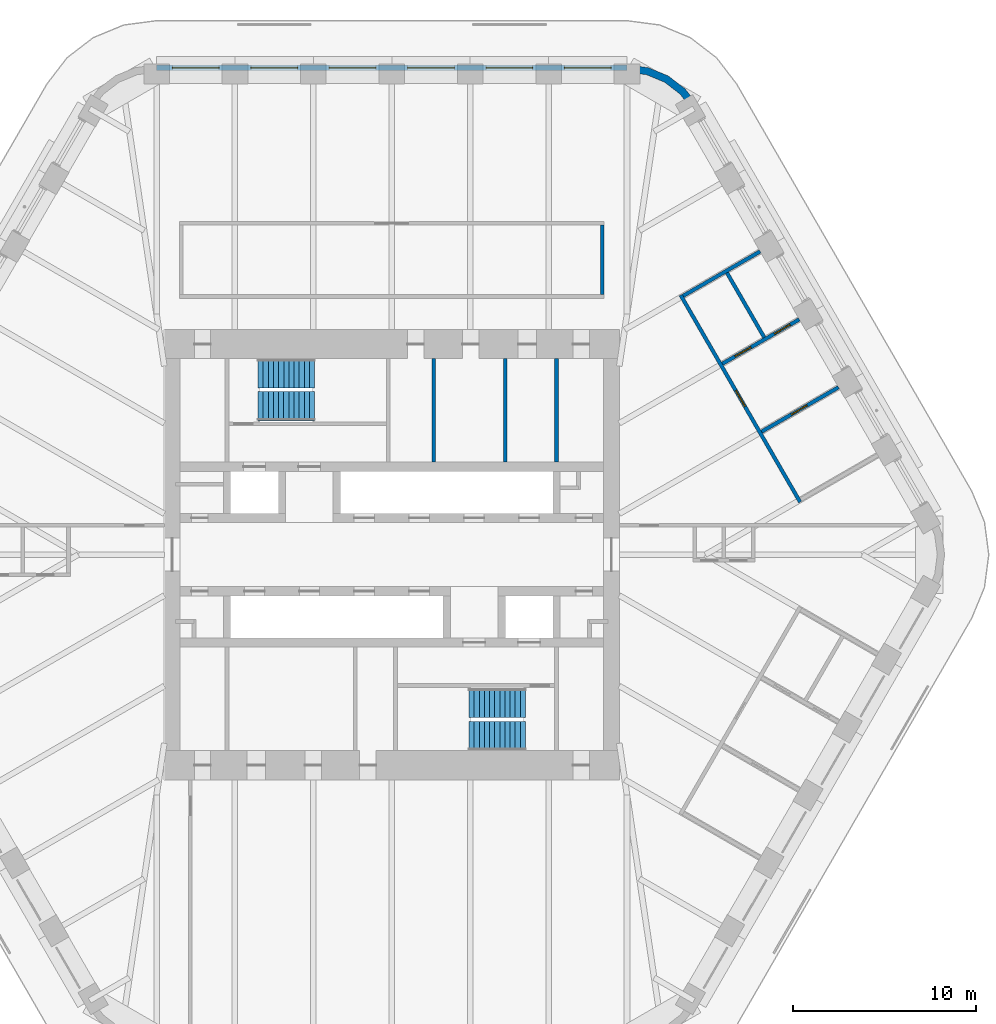
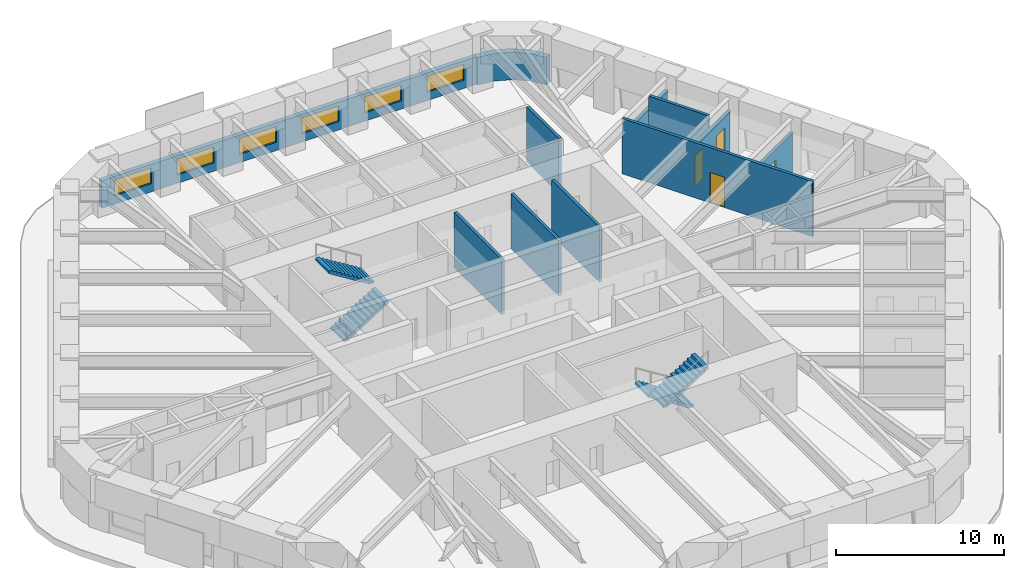
# One storey, part 16 of 18: 11 walls, 6 windows, 4 doors, 4 stair flights, 10 openings, 2 elements without a shape of their own.
"""IFC4 building model written with IfcOpenShell, lengths in metres."""

import ifcopenshell
import ifcopenshell.guid

model = None  # the IFC model being written
_history = None  # IfcOwnerHistory: only IFC2X3 demands one
_inside = {}  # id of a spatial element -> (the spatial element, [elements in it])
_under = {}  # id of a project, library or spatial element -> (it, [spatial elements below it])
_declared = {}  # id of a project -> (the project, [libraries it declares])
_typed = {}  # id of a type object -> (the type object, [elements of that type])
_made_of = {}  # id of a material, layer set ... -> (it, [elements and type objects made of it])


def new_model(schema):
    """Start an empty IFC model of exactly this schema.

    Asked for "IFC4X3", IfcOpenShell would pick the latest addendum, in which some entities
    have other attributes; the version numbers below select the first issue.
    IFC2X3 requires an IfcOwnerHistory on every rooted entity: one is made here for all.
    """
    global model, _history
    if schema == "IFC4X3":
        model = ifcopenshell.file(schema_version=(4, 3, 0, 0))
    else:
        model = ifcopenshell.file(schema=schema)
    _inside.clear()
    _under.clear()
    _declared.clear()
    _typed.clear()
    _made_of.clear()
    _history = None
    if model.schema == "IFC2X3":
        org = make("IfcOrganization", Name="unknown")
        user = make(
            "IfcPersonAndOrganization",
            ThePerson=make("IfcPerson", FamilyName="unknown"),
            TheOrganization=org,
        )
        app = make(
            "IfcApplication",
            ApplicationDeveloper=org,
            Version="unknown",
            ApplicationFullName="unknown",
            ApplicationIdentifier="unknown",
        )
        _history = make(
            "IfcOwnerHistory",
            OwningUser=user,
            OwningApplication=app,
            ChangeAction="ADDED",
            CreationDate=0,
        )
    return model


def make(cls, **values):
    """One entity of the class cls with the attributes given. An attribute that is None is left unset."""
    return model.create_entity(
        cls, **{name: value for name, value in values.items() if value is not None}
    )


def rooted(cls, **values):
    """An entity with a GlobalId (a new one), such as an element, a storey or a relation."""
    return make(cls, GlobalId=ifcopenshell.guid.new(), OwnerHistory=_history, **values)


def si_unit(unit_type, name, prefix=None):
    """IfcSIUnit, for example si_unit("LENGTHUNIT", "METRE", prefix="MILLI")."""
    return make("IfcSIUnit", UnitType=unit_type, Prefix=prefix, Name=name)


def assignment(units):
    """IfcUnitAssignment: the units of a project."""
    return None if units is None else make("IfcUnitAssignment", Units=units)


def point(xyz):
    """IfcCartesianPoint."""
    return None if xyz is None else make("IfcCartesianPoint", Coordinates=xyz)


def direction(xyz):
    """IfcDirection."""
    return None if xyz is None else make("IfcDirection", DirectionRatios=xyz)


def frame(location, z_axis=None, x_axis=None):
    """IfcAxis2Placement3D, a coordinate frame: its origin and axes. An axis left out is left unset."""
    return make(
        "IfcAxis2Placement3D",
        Location=point(location),
        Axis=direction(z_axis),
        RefDirection=direction(x_axis),
    )


def frame_2d(location, x_axis=None):
    """IfcAxis2Placement2D, a coordinate frame in the plane: its origin and x axis."""
    return make(
        "IfcAxis2Placement2D", Location=point(location), RefDirection=direction(x_axis)
    )


def origin():
    """The frame at (0, 0, 0) with its axes left unset."""
    return frame((0.0, 0.0, 0.0))


def place(relative_to, where):
    """IfcLocalPlacement: puts the frame where relative to a parent placement (None: the world)."""
    return make(
        "IfcLocalPlacement", PlacementRelTo=relative_to, RelativePlacement=where
    )


def context(
    kind, dimensions, precision=None, world=None, true_north=None, identifier=None
):
    """IfcGeometricRepresentationContext, for example the 3D "Model" context."""
    return make(
        "IfcGeometricRepresentationContext",
        ContextIdentifier=identifier,
        ContextType=kind,
        CoordinateSpaceDimension=dimensions,
        Precision=precision,
        WorldCoordinateSystem=world,
        TrueNorth=true_north,
    )


def subcontext(parent, identifier, kind, view, scale=None):
    """IfcGeometricRepresentationSubContext, for example "Body" below "Model"."""
    return make(
        "IfcGeometricRepresentationSubContext",
        ContextIdentifier=identifier,
        ContextType=kind,
        ParentContext=parent,
        TargetScale=scale,
        TargetView=view,
    )


def project(units=None, contexts=None):
    """IfcProject with its units and contexts."""
    return rooted(
        "IfcProject",
        Name="project",
        RepresentationContexts=contexts,
        UnitsInContext=assignment(units),
    )


def spatial(cls, under=None, at=None, **own):
    """A site, building, storey or space (cls), placed at a placement, below another one or the project."""
    s = rooted(cls, ObjectPlacement=at, **own)
    if under is not None:
        _under.setdefault(under.id(), (under, []))[1].append(s)
    return s


def polyline(points):
    """IfcPolyline through the points."""
    return make("IfcPolyline", Points=[point(p) for p in points])


def profile(cls, at=None, kind="AREA", **sizes):
    """A parametric profile (cls). Its sizes go by their IFC names, for example OverallWidth=200.0."""
    return make(cls, ProfileType=kind, Position=at, **sizes)


def rectangle(**sizes):
    """IfcRectangleProfileDef."""
    return profile("IfcRectangleProfileDef", **sizes)


def outline(outer, holes=None, kind="AREA"):
    """IfcArbitraryClosedProfileDef: a profile drawn as a closed curve; with holes, ...WithVoids."""
    if holes is None:
        return make("IfcArbitraryClosedProfileDef", ProfileType=kind, OuterCurve=outer)
    return make(
        "IfcArbitraryProfileDefWithVoids",
        ProfileType=kind,
        OuterCurve=outer,
        InnerCurves=holes,
    )


def extrude(swept, where, along, depth):
    """IfcExtrudedAreaSolid: the profile swept, set in the frame where, extruded along a direction by depth."""
    return make(
        "IfcExtrudedAreaSolid",
        SweptArea=swept,
        Position=where,
        ExtrudedDirection=direction(along),
        Depth=depth,
    )


def shape(context_of_items, identifier, shape_type, items):
    """IfcShapeRepresentation: the items that make up one representation, for example the "Body"."""
    return make(
        "IfcShapeRepresentation",
        ContextOfItems=context_of_items,
        RepresentationIdentifier=identifier,
        RepresentationType=shape_type,
        Items=items,
    )


def material(Name=None, Category=None):
    """IfcMaterial."""
    return make("IfcMaterial", Name=Name, Category=Category)


def layer(
    of_material, thickness, ventilated=None, Name=None, Category=None, Priority=None
):
    """IfcMaterialLayer: one layer of a wall or slab, of a material (None: an air gap)."""
    return make(
        "IfcMaterialLayer",
        Material=of_material,
        LayerThickness=thickness,
        IsVentilated=ventilated,
        Name=Name,
        Category=Category,
        Priority=Priority,
    )


def layer_set(layers, Name=None):
    """IfcMaterialLayerSet."""
    return make("IfcMaterialLayerSet", MaterialLayers=layers, LayerSetName=Name)


def made_of(thing, what):
    """Note that an element or type object is made of a material, layer set ...; save() writes the relation."""
    if what is not None:
        _made_of.setdefault(what.id(), (what, []))[1].append(thing)
    return thing


def type_object(cls, material=None, **own):
    """A type object (cls), such as IfcWallType, which elements share."""
    return made_of(rooted(cls, **own), material)


def element(
    cls,
    number,
    at=None,
    inside=None,
    cuts=None,
    type_object=None,
    material=None,
    context=None,
    identifier="Body",
    shape_type=None,
    held_by="IfcProductDefinitionShape",
    body=None,
    shapes=None,
    **own,
):
    """One element of the class cls, such as IfcWall. Its Tag is "e" and its number.

    at: its placement. inside: the storey or other place that contains it. cuts: it is an
    opening in that element (IfcRelVoidsElement). A single representation is given by context,
    identifier, shape_type and body (its items); several are given by shapes. held_by: the class
    of the entity that holds the representations. save() writes the other relations.
    """
    e = rooted(cls, Tag="e%d" % number, ObjectPlacement=at, **own)
    if body is not None:
        shapes = [shape(context, identifier, shape_type, body)]
    if shapes is not None:
        e.Representation = make(held_by, Representations=shapes)
    if inside is not None:
        _inside.setdefault(inside.id(), (inside, []))[1].append(e)
    if cuts is not None:
        rooted(
            "IfcRelVoidsElement", RelatingBuildingElement=cuts, RelatedOpeningElement=e
        )
    if type_object is not None:
        _typed.setdefault(type_object.id(), (type_object, []))[1].append(e)
    return made_of(e, material)


def fill(opening, filler):
    """IfcRelFillsElement: the door or window that sits in an opening."""
    return rooted(
        "IfcRelFillsElement",
        RelatingOpeningElement=opening,
        RelatedBuildingElement=filler,
    )


def aggregate(whole, parts):
    """IfcRelAggregates: a whole, such as a stair, and the parts it consists of."""
    return rooted("IfcRelAggregates", RelatingObject=whole, RelatedObjects=parts)


def save(model, path):
    """Write the relations noted so far, then the file.

    IfcRelAggregates (storeys below a building ...), IfcRelContainedInSpatialStructure (elements
    in a storey), IfcRelDefinesByType, IfcRelAssociatesMaterial and IfcRelDeclares: one each for
    every whole, place, type object, material and project.
    """
    for whole, parts in _under.values():
        aggregate(whole, parts)
    for where, things in _inside.values():
        rooted(
            "IfcRelContainedInSpatialStructure",
            RelatedElements=things,
            RelatingStructure=where,
        )
    for kind, things in _typed.values():
        rooted("IfcRelDefinesByType", RelatedObjects=things, RelatingType=kind)
    for what, things in _made_of.values():
        rooted("IfcRelAssociatesMaterial", RelatedObjects=things, RelatingMaterial=what)
    for by, libraries in _declared.values():
        rooted("IfcRelDeclares", RelatingContext=by, RelatedDefinitions=libraries)
    model.write(path)


model = new_model("IFC4")

# Units and contexts
model_context = context("Model", 3, precision=1e-05, world=origin(), true_north=direction((0.0, 1.0)))
body_context = subcontext(model_context, "Body", "Model", "MODEL_VIEW")
ifc_project = project(units=[si_unit("LENGTHUNIT", "METRE"), si_unit("AREAUNIT", "SQUARE_METRE"), si_unit("VOLUMEUNIT", "CUBIC_METRE"), si_unit("PLANEANGLEUNIT", "RADIAN"), si_unit("MASSUNIT", "GRAM", prefix="KILO")], contexts=[model_context])

# Site, building, storey
site_placement = place(None, origin())
site = spatial("IfcSite", under=ifc_project, at=site_placement, CompositionType="ELEMENT")
building_placement = place(site_placement, origin())
building = spatial("IfcBuilding", under=site, at=building_placement, Name="Tarfa Lantern Tower", CompositionType="ELEMENT")
storey_placement = place(building_placement, frame((0.0, 0.0, 324.10009765625)))
storey = spatial("IfcBuildingStorey", under=building, at=storey_placement, Name="L73", CompositionType="ELEMENT", Elevation=324.10009765625)

# Wall, openings, windows
ifc_material_1 = material(Name="Limestone cladding on blockwork", Category="masonry")
ifc_layer_1 = layer(ifc_material_1, 0.300048828125)
ifc_layer_set_1 = layer_set([ifc_layer_1], Name="EW1 STONE-CLAD WALL 300")
wall_type_1 = type_object("IfcWallType", Name="EW1 STONE-CLAD WALL 300", PredefinedType="SOLIDWALL", material=ifc_layer_set_1)
wall_1_placement = place(storey_placement, frame((12.845947265625, 26.60009765625, 0.0), z_axis=(0.0, 0.0, 1.0), x_axis=(-1.0, 0.0, 0.0)))
wall_1 = element("IfcWall", 1, at=wall_1_placement, inside=storey, type_object=wall_type_1, Name="Stone wall N", PredefinedType="SOLIDWALL", context=body_context, shape_type="SweptSolid", body=[
    extrude(rectangle(XDim=25.69189453125, YDim=0.300048828125, at=frame_2d((12.845947265625, 0.0))), origin(), (0.0, 0.0, 1.0), 2.0),
])
opening_1_placement = place(wall_1_placement, frame((0.865966796875, 0.0, 0.60009765625)))
opening_1 = element("IfcOpeningElement", 2, at=opening_1_placement, cuts=wall_1, Name="Opening W16", PredefinedType="OPENING", context=body_context, shape_type="SweptSolid", body=[
    extrude(rectangle(XDim=2.550048828125, YDim=1.14990234375, at=frame_2d((1.27490234375, 0.574951171875))), frame((0.0, 0.159912109375, 0.0), z_axis=(0.0, -1.0, 0.0), x_axis=(1.0, 0.0, 0.0)), (0.0, 0.0, 1.0), 0.320068359375),
])
opening_2_placement = place(wall_1_placement, frame((5.14794921875, 0.0, 0.60009765625)))
opening_2 = element("IfcOpeningElement", 3, at=opening_2_placement, cuts=wall_1, Name="Opening W16", PredefinedType="OPENING", context=body_context, shape_type="SweptSolid", body=[
    extrude(rectangle(XDim=2.550048828125, YDim=1.14990234375, at=frame_2d((1.27490234375, 0.574951171875))), frame((0.0, 0.159912109375, 0.0), z_axis=(0.0, -1.0, 0.0), x_axis=(1.0, 0.0, 0.0)), (0.0, 0.0, 1.0), 0.320068359375),
])
opening_3_placement = place(wall_1_placement, frame((9.429931640625, 0.0, 0.60009765625)))
opening_3 = element("IfcOpeningElement", 4, at=opening_3_placement, cuts=wall_1, Name="Opening W16", PredefinedType="OPENING", context=body_context, shape_type="SweptSolid", body=[
    extrude(rectangle(XDim=2.550048828125, YDim=1.14990234375, at=frame_2d((1.27490234375, 0.574951171875))), frame((0.0, 0.159912109375, 0.0), z_axis=(0.0, -1.0, 0.0), x_axis=(1.0, 0.0, 0.0)), (0.0, 0.0, 1.0), 0.320068359375),
])
opening_4_placement = place(wall_1_placement, frame((13.712158203125, 0.0, 0.60009765625)))
opening_4 = element("IfcOpeningElement", 5, at=opening_4_placement, cuts=wall_1, Name="Opening W16", PredefinedType="OPENING", context=body_context, shape_type="SweptSolid", body=[
    extrude(rectangle(XDim=2.550048828125, YDim=1.14990234375, at=frame_2d((1.27490234375, 0.574951171875))), frame((0.0, 0.159912109375, 0.0), z_axis=(0.0, -1.0, 0.0), x_axis=(1.0, 0.0, 0.0)), (0.0, 0.0, 1.0), 0.320068359375),
])
opening_5_placement = place(wall_1_placement, frame((17.994140625, 0.0, 0.60009765625)))
opening_5 = element("IfcOpeningElement", 6, at=opening_5_placement, cuts=wall_1, Name="Opening W16", PredefinedType="OPENING", context=body_context, shape_type="SweptSolid", body=[
    extrude(rectangle(XDim=2.550048828125, YDim=1.14990234375, at=frame_2d((1.27490234375, 0.574951171875))), frame((0.0, 0.159912109375, 0.0), z_axis=(0.0, -1.0, 0.0), x_axis=(1.0, 0.0, 0.0)), (0.0, 0.0, 1.0), 0.320068359375),
])
opening_6_placement = place(wall_1_placement, frame((22.276123046875, 0.0, 0.60009765625)))
opening_6 = element("IfcOpeningElement", 7, at=opening_6_placement, cuts=wall_1, Name="Opening W16", PredefinedType="OPENING", context=body_context, shape_type="SweptSolid", body=[
    extrude(rectangle(XDim=2.550048828125, YDim=1.14990234375, at=frame_2d((1.27490234375, 0.574951171875))), frame((0.0, 0.159912109375, 0.0), z_axis=(0.0, -1.0, 0.0), x_axis=(1.0, 0.0, 0.0)), (0.0, 0.0, 1.0), 0.320068359375),
])
ifc_material_2 = material(Name="Aluminium frame, double glazed", Category="aluminium")
window_type = type_object("IfcWindowType", Name="W16 FULL-HEIGHT GLAZING 2550x1150", PartitioningType="SINGLE_PANEL", PredefinedType="WINDOW", material=ifc_material_2)
window_1_placement = place(opening_1_placement, origin())
window_1 = element("IfcWindow", 8, at=window_1_placement, inside=storey, type_object=window_type, Name="Window N 1", OverallHeight=1.14990234375, OverallWidth=2.550048828125, PartitioningType="SINGLE_PANEL", PredefinedType="WINDOW", context=body_context, shape_type="SweptSolid", body=[
    extrude(rectangle(XDim=2.550048828125, YDim=1.14990234375, at=frame_2d((1.27490234375, 0.574951171875))), frame((0.0, 0.030029296875, 0.0), z_axis=(0.0, -1.0, 0.0), x_axis=(1.0, 0.0, 0.0)), (0.0, 0.0, 1.0), 0.06005859375),
])
fill(opening_1, window_1)
window_2_placement = place(opening_2_placement, origin())
window_2 = element("IfcWindow", 9, at=window_2_placement, inside=storey, type_object=window_type, Name="Window N 2", OverallHeight=1.14990234375, OverallWidth=2.550048828125, PartitioningType="SINGLE_PANEL", PredefinedType="WINDOW", context=body_context, shape_type="SweptSolid", body=[
    extrude(rectangle(XDim=2.550048828125, YDim=1.14990234375, at=frame_2d((1.27490234375, 0.574951171875))), frame((0.0, 0.030029296875, 0.0), z_axis=(0.0, -1.0, 0.0), x_axis=(1.0, 0.0, 0.0)), (0.0, 0.0, 1.0), 0.06005859375),
])
fill(opening_2, window_2)
window_3_placement = place(opening_3_placement, origin())
window_3 = element("IfcWindow", 10, at=window_3_placement, inside=storey, type_object=window_type, Name="Window N 3", OverallHeight=1.14990234375, OverallWidth=2.550048828125, PartitioningType="SINGLE_PANEL", PredefinedType="WINDOW", context=body_context, shape_type="SweptSolid", body=[
    extrude(rectangle(XDim=2.550048828125, YDim=1.14990234375, at=frame_2d((1.27490234375, 0.574951171875))), frame((0.0, 0.030029296875, 0.0), z_axis=(0.0, -1.0, 0.0), x_axis=(1.0, 0.0, 0.0)), (0.0, 0.0, 1.0), 0.06005859375),
])
fill(opening_3, window_3)
window_4_placement = place(opening_4_placement, origin())
window_4 = element("IfcWindow", 11, at=window_4_placement, inside=storey, type_object=window_type, Name="Window N 4", OverallHeight=1.14990234375, OverallWidth=2.550048828125, PartitioningType="SINGLE_PANEL", PredefinedType="WINDOW", context=body_context, shape_type="SweptSolid", body=[
    extrude(rectangle(XDim=2.550048828125, YDim=1.14990234375, at=frame_2d((1.27490234375, 0.574951171875))), frame((0.0, 0.030029296875, 0.0), z_axis=(0.0, -1.0, 0.0), x_axis=(1.0, 0.0, 0.0)), (0.0, 0.0, 1.0), 0.06005859375),
])
fill(opening_4, window_4)
window_5_placement = place(opening_5_placement, origin())
window_5 = element("IfcWindow", 12, at=window_5_placement, inside=storey, type_object=window_type, Name="Window N 5", OverallHeight=1.14990234375, OverallWidth=2.550048828125, PartitioningType="SINGLE_PANEL", PredefinedType="WINDOW", context=body_context, shape_type="SweptSolid", body=[
    extrude(rectangle(XDim=2.550048828125, YDim=1.14990234375, at=frame_2d((1.27490234375, 0.574951171875))), frame((0.0, 0.030029296875, 0.0), z_axis=(0.0, -1.0, 0.0), x_axis=(1.0, 0.0, 0.0)), (0.0, 0.0, 1.0), 0.06005859375),
])
fill(opening_5, window_5)
window_6_placement = place(opening_6_placement, origin())
window_6 = element("IfcWindow", 13, at=window_6_placement, inside=storey, type_object=window_type, Name="Window N 6", OverallHeight=1.14990234375, OverallWidth=2.550048828125, PartitioningType="SINGLE_PANEL", PredefinedType="WINDOW", context=body_context, shape_type="SweptSolid", body=[
    extrude(rectangle(XDim=2.550048828125, YDim=1.14990234375, at=frame_2d((1.27490234375, 0.574951171875))), frame((0.0, 0.030029296875, 0.0), z_axis=(0.0, -1.0, 0.0), x_axis=(1.0, 0.0, 0.0)), (0.0, 0.0, 1.0), 0.06005859375),
])
fill(opening_6, window_6)

# Walls
ifc_layer_2 = layer(ifc_material_1, 0.39990234375)
ifc_layer_set_2 = layer_set([ifc_layer_2], Name="EW2 CURVED STONE CORNER 400")
wall_type_2 = type_object("IfcWallType", Name="EW2 CURVED STONE CORNER 400", PredefinedType="SOLIDWALL", material=ifc_layer_set_2)
wall_2_placement = place(storey_placement, origin())
element("IfcWall", 14, at=wall_2_placement, inside=storey, type_object=wall_type_2, Name="Stone corner NE-N", PredefinedType="SOLIDWALL", context=body_context, shape_type="SweptSolid", body=[
    extrude(outline(polyline([(16.7431640625, 24.5), (16.028076171875, 25.431884765625), (15.095947265625, 26.147216796875), (14.0107421875, 26.5966796875), (12.845947265625, 26.75), (12.845947265625, 26.35009765625), (13.9072265625, 26.210205078125), (14.89599609375, 25.80078125), (15.7451171875, 25.149169921875), (16.396728515625, 24.300048828125), (16.7431640625, 24.5)])), origin(), (0.0, 0.0, 1.0), 2.0),
])
ifc_material_3 = material(Name="Concrete blockwork", Category="masonry")
ifc_layer_3 = layer(ifc_material_3, 0.199951171875)
ifc_layer_set_3 = layer_set([ifc_layer_3], Name="IW1 BLOCKWORK PARTITION 200 EI 120")
wall_type_3 = type_object("IfcWallType", Name="IW1 BLOCKWORK PARTITION 200 EI 120", PredefinedType="PARTITIONING", material=ifc_layer_set_3)
for number, where, z_axis, x_axis, name in (
    (15, (9.0, 5.050048828125, 0.0), (0.0, 0.0, 1.0), (0.0, 1.0, 0.0), "Core partition"),
    (16, (2.300048828125, 5.050048828125, 0.0), (0.0, 0.0, 1.0), (0.0, 1.0, 0.0), "Core partition"),
    (17, (6.199951171875, 5.050048828125, 0.0), (0.0, 0.0, 1.0), (0.0, 1.0, 0.0), "Core partition"),
):
    element("IfcWall", number, at=place(storey_placement, frame(where, z_axis=z_axis, x_axis=x_axis)), inside=storey, type_object=wall_type_3, Name=name, PredefinedType="PARTITIONING", context=body_context, shape_type="SweptSolid", body=[
        extrude(rectangle(XDim=5.64990234375, YDim=0.199951171875, at=frame_2d((2.824951171875, 0.0))), origin(), (0.0, 0.0, 1.0), 4.0),
    ])
ifc_material_4 = material(Name="Gypsum board on steel studs", Category="steel")
ifc_layer_4 = layer(ifc_material_4, 0.2099609375)
ifc_layer_set_4 = layer_set([ifc_layer_4], Name="IW2 ACOUSTIC PARTITION 200")
wall_type_4 = type_object("IfcWallType", Name="IW2 ACOUSTIC PARTITION 200", PredefinedType="PARTITIONING", material=ifc_layer_set_4)
wall_3_placement = place(storey_placement, frame((11.5, 14.199951171875, 0.0), z_axis=(0.0, 0.0, 1.0), x_axis=(0.0, 1.0, 0.0)))
element("IfcWall", 18, at=wall_3_placement, inside=storey, type_object=wall_type_4, Name="Partition", PredefinedType="PARTITIONING", context=body_context, shape_type="SweptSolid", body=[
    extrude(rectangle(XDim=3.800048828125, YDim=0.199951171875, at=frame_2d((1.89990234375, 0.0))), origin(), (0.0, 0.0, 1.0), 4.0),
])

# Wall, opening, door
wall_4_placement = place(storey_placement, frame((22.302001953125, 2.871826171875, 0.0), z_axis=(0.0, 0.0, 1.0), x_axis=(-0.499999460936, 0.866025715013, 0.0)))
wall_4 = element("IfcWall", 19, at=wall_4_placement, inside=storey, type_object=wall_type_4, Name="Partition", PredefinedType="PARTITIONING", context=body_context, shape_type="SweptSolid", body=[
    extrude(rectangle(XDim=13.0458984375, YDim=0.199951171875, at=frame_2d((6.52294921875, 0.0))), origin(), (0.0, 0.0, 1.0), 4.0),
])
opening_7_placement = place(wall_4_placement, frame((6.02294921875, 0.0, 0.0)))
opening_7 = element("IfcOpeningElement", 20, at=opening_7_placement, cuts=wall_4, Name="Opening D22", PredefinedType="OPENING", context=body_context, shape_type="SweptSolid", body=[
    extrude(rectangle(XDim=1.0, YDim=2.199951171875, at=frame_2d((0.5, 1.10009765625))), frame((0.0, 0.10986328125, 0.0), z_axis=(0.0, -1.0, 0.0), x_axis=(1.0, 0.0, 0.0)), (0.0, 0.0, 1.0), 0.219970703125),
])
ifc_material_5 = material(Name="Timber door", Category="wood")
door_type = type_object("IfcDoorType", Name="DR1 ROOM DOOR 1000x2200", OperationType="SINGLE_SWING_LEFT", PredefinedType="DOOR", material=ifc_material_5)
door_1_placement = place(opening_7_placement, frame((1.0, 0.0, 0.0), z_axis=(0.0, 0.0, 1.0), x_axis=(-1.0, 0.0, 0.0)))
door_1 = element("IfcDoor", 21, at=door_1_placement, inside=storey, type_object=door_type, Name="PA area door", OperationType="SINGLE_SWING_LEFT", OverallHeight=2.199951171875, OverallWidth=1.0, PredefinedType="DOOR", context=body_context, shape_type="SweptSolid", body=[
    extrude(rectangle(XDim=1.0, YDim=2.199951171875, at=frame_2d((0.5, 1.10009765625))), frame((0.0, 0.02490234375, 0.0), z_axis=(0.0, -1.0, 0.0), x_axis=(1.0, 0.0, 0.0)), (0.0, 0.0, 1.0), 0.050048828125),
])
fill(opening_7, door_1)

wall_5_placement = place(storey_placement, frame((20.19775390625, 6.716552734375, 0.0), z_axis=(0.0, 0.0, 1.0), x_axis=(0.866019606374, 0.500010041276, 0.0)))
wall_5 = element("IfcWall", 22, at=wall_5_placement, inside=storey, type_object=wall_type_4, Name="Partition", PredefinedType="PARTITIONING", context=body_context, shape_type="SweptSolid", body=[
    extrude(rectangle(XDim=4.85009765625, YDim=0.199951171875, at=frame_2d((2.425048828125, 0.0))), origin(), (0.0, 0.0, 1.0), 2.99169921875),
])
opening_8_placement = place(wall_5_placement, frame((1.875, 0.0, 0.0)))
opening_8 = element("IfcOpeningElement", 23, at=opening_8_placement, cuts=wall_5, Name="Opening D21", PredefinedType="OPENING", context=body_context, shape_type="SweptSolid", body=[
    extrude(rectangle(XDim=1.0, YDim=2.199951171875, at=frame_2d((0.5, 1.10009765625))), frame((0.0, 0.10986328125, 0.0), z_axis=(0.0, -1.0, 0.0), x_axis=(1.0, 0.0, 0.0)), (0.0, 0.0, 1.0), 0.219970703125),
])
door_2_placement = place(opening_8_placement, frame((1.0, 0.0, 0.0), z_axis=(0.0, 0.0, 1.0), x_axis=(-1.0, 0.0, 0.0)))
door_2 = element("IfcDoor", 24, at=door_2_placement, inside=storey, type_object=door_type, Name="Executive office door", OperationType="SINGLE_SWING_LEFT", OverallHeight=2.199951171875, OverallWidth=1.0, PredefinedType="DOOR", context=body_context, shape_type="SweptSolid", body=[
    extrude(rectangle(XDim=1.0, YDim=2.199951171875, at=frame_2d((0.5, 1.10009765625))), frame((0.0, 0.02490234375, 0.0), z_axis=(0.0, -1.0, 0.0), x_axis=(1.0, 0.0, 0.0)), (0.0, 0.0, 1.0), 0.050048828125),
])
fill(opening_8, door_2)

# Wall, openings, doors
wall_6_placement = place(storey_placement, frame((18.056640625, 10.425048828125, 0.0), z_axis=(0.0, 0.0, 1.0), x_axis=(0.866019606374, 0.500010041276, 0.0)))
wall_6 = element("IfcWall", 25, at=wall_6_placement, inside=storey, type_object=wall_type_4, Name="Partition", PredefinedType="PARTITIONING", context=body_context, shape_type="SweptSolid", body=[
    extrude(rectangle(XDim=4.85009765625, YDim=0.199951171875, at=frame_2d((2.425048828125, 0.0))), origin(), (0.0, 0.0, 1.0), 3.08154296875),
])
opening_9_placement = place(wall_6_placement, frame((0.800048828125, 0.0, 0.0)))
opening_9 = element("IfcOpeningElement", 26, at=opening_9_placement, cuts=wall_6, Name="Opening D23", PredefinedType="OPENING", context=body_context, shape_type="SweptSolid", body=[
    extrude(rectangle(XDim=1.0, YDim=2.199951171875, at=frame_2d((0.5, 1.10009765625))), frame((0.0, 0.10986328125, 0.0), z_axis=(0.0, -1.0, 0.0), x_axis=(1.0, 0.0, 0.0)), (0.0, 0.0, 1.0), 0.219970703125),
])
opening_10_placement = place(wall_6_placement, frame((3.27490234375, 0.0, 0.0)))
opening_10 = element("IfcOpeningElement", 27, at=opening_10_placement, cuts=wall_6, Name="Opening D24", PredefinedType="OPENING", context=body_context, shape_type="SweptSolid", body=[
    extrude(rectangle(XDim=1.0, YDim=2.199951171875, at=frame_2d((0.5, 1.10009765625))), frame((0.0, 0.10986328125, 0.0), z_axis=(0.0, -1.0, 0.0), x_axis=(1.0, 0.0, 0.0)), (0.0, 0.0, 1.0), 0.219970703125),
])
door_3_placement = place(opening_9_placement, origin())
door_3 = element("IfcDoor", 28, at=door_3_placement, inside=storey, type_object=door_type, Name="Meeting room door", OperationType="SINGLE_SWING_RIGHT", OverallHeight=2.199951171875, OverallWidth=1.0, PredefinedType="DOOR", context=body_context, shape_type="SweptSolid", body=[
    extrude(rectangle(XDim=1.0, YDim=2.199951171875, at=frame_2d((0.5, 1.10009765625))), frame((0.0, 0.02490234375, 0.0), z_axis=(0.0, -1.0, 0.0), x_axis=(1.0, 0.0, 0.0)), (0.0, 0.0, 1.0), 0.050048828125),
])
fill(opening_9, door_3)
door_4_placement = place(opening_10_placement, origin())
door_4 = element("IfcDoor", 29, at=door_4_placement, inside=storey, type_object=door_type, Name="Private lounge door", OperationType="SINGLE_SWING_RIGHT", OverallHeight=2.199951171875, OverallWidth=1.0, PredefinedType="DOOR", context=body_context, shape_type="SweptSolid", body=[
    extrude(rectangle(XDim=1.0, YDim=2.199951171875, at=frame_2d((0.5, 1.10009765625))), frame((0.0, 0.02490234375, 0.0), z_axis=(0.0, -1.0, 0.0), x_axis=(1.0, 0.0, 0.0)), (0.0, 0.0, 1.0), 0.050048828125),
])
fill(opening_10, door_4)

# Walls
wall_7_placement = place(storey_placement, frame((15.91552734375, 14.13330078125, 0.0), z_axis=(0.0, 0.0, 1.0), x_axis=(0.866032190624, 0.499988244665, 0.0)))
element("IfcWall", 30, at=wall_7_placement, inside=storey, type_object=wall_type_4, Name="Partition", PredefinedType="PARTITIONING", context=body_context, shape_type="SweptSolid", body=[
    extrude(rectangle(XDim=4.85009765625, YDim=0.199951171875, at=frame_2d((2.425048828125, 0.0))), origin(), (0.0, 0.0, 1.0), 3.08154296875),
])
wall_8_placement = place(storey_placement, frame((20.344970703125, 11.861572265625, 0.0), z_axis=(0.0, 0.0, 1.0), x_axis=(-0.499998569178, 0.866026229868, 0.0)))
element("IfcWall", 31, at=wall_8_placement, inside=storey, type_object=wall_type_4, Name="Partition", PredefinedType="PARTITIONING", context=body_context, shape_type="SweptSolid", body=[
    extrude(rectangle(XDim=4.08203125, YDim=0.199951171875, at=frame_2d((2.041015625, 0.0))), origin(), (0.0, 0.0, 1.0), 4.0),
])

# Stair, stair flights
ifc_material_6 = material(Name="Concrete C40/50", Category="concrete")
stair_type = type_object("IfcStairType", Name="ST-T10 HALF-TURN STAIR 4200 RISE", PredefinedType="HALF_TURN_STAIR", material=ifc_material_6)
stair_1_placement = place(storey_placement, origin())
stair_1 = element("IfcStair", 32, at=stair_1_placement, inside=storey, type_object=stair_type, Name="Stair ST1", PredefinedType="HALF_TURN_STAIR")
stair_flight_type = type_object("IfcStairFlightType", Name="SF1 STAIR FLIGHT", PredefinedType="STRAIGHT", material=ifc_material_6)
stair_flight_1_placement = place(storey_placement, frame((-7.300048828125, 8.10009765625, 0.0), z_axis=(0.0, 0.0, 1.0), x_axis=(1.0, 0.0, 0.0)))
stair_flight_1 = element("IfcStairFlight", 33, at=stair_flight_1_placement, type_object=stair_flight_type, Name="ST1 flight 1", NumberOfRisers=12, NumberOfTreads=11, PredefinedType="STRAIGHT", RiserHeight=0.175, TreadLength=0.28, context=body_context, shape_type="SweptSolid", body=[
    extrude(outline(polyline([(0.0, 0.0), (0.0, 0.175048828125), (0.280029296875, 0.175048828125), (0.280029296875, 0.35009765625), (0.56005859375, 0.35009765625), (0.56005859375, 0.52490234375), (0.840087890625, 0.52490234375), (0.840087890625, 0.699951171875), (1.1201171875, 0.699951171875), (1.1201171875, 0.875), (1.39990234375, 0.875), (1.39990234375, 1.050048828125), (1.679931640625, 1.050048828125), (1.679931640625, 1.22509765625), (1.9599609375, 1.22509765625), (1.9599609375, 1.39990234375), (2.239990234375, 1.39990234375), (2.239990234375, 1.574951171875), (2.52001953125, 1.574951171875), (2.52001953125, 1.75), (2.800048828125, 1.75), (2.800048828125, 1.925048828125), (3.080078125, 1.925048828125), (3.080078125, 2.10009765625), (3.080078125, 1.748291015625), (0.28271484375, 0.0), (0.0, 0.0)])), frame((0.0, 0.800048828125, 0.0), z_axis=(0.0, -1.0, 0.0), x_axis=(1.0, 0.0, 0.0)), (0.0, 0.0, 1.0), 1.60009765625),
])
stair_flight_2_placement = place(storey_placement, frame((-4.219970703125, 9.89990234375, 2.099853515625), z_axis=(0.0, 0.0, 1.0), x_axis=(-1.0, 0.0, 0.0)))
stair_flight_2 = element("IfcStairFlight", 34, at=stair_flight_2_placement, type_object=stair_flight_type, Name="ST1 flight 2", NumberOfRisers=12, NumberOfTreads=11, PredefinedType="STRAIGHT", RiserHeight=0.175, TreadLength=0.28, context=body_context, shape_type="SweptSolid", body=[
    extrude(outline(polyline([(0.0, 0.0), (0.0, 0.175048828125), (0.280029296875, 0.175048828125), (0.280029296875, 0.35009765625), (0.56005859375, 0.35009765625), (0.56005859375, 0.52490234375), (0.840087890625, 0.52490234375), (0.840087890625, 0.699951171875), (1.1201171875, 0.699951171875), (1.1201171875, 0.875), (1.39990234375, 0.875), (1.39990234375, 1.050048828125), (1.679931640625, 1.050048828125), (1.679931640625, 1.22509765625), (1.9599609375, 1.22509765625), (1.9599609375, 1.39990234375), (2.239990234375, 1.39990234375), (2.239990234375, 1.574951171875), (2.52001953125, 1.574951171875), (2.52001953125, 1.75), (2.800048828125, 1.75), (2.800048828125, 1.925048828125), (3.080078125, 1.925048828125), (3.080078125, 2.10009765625), (3.080078125, 1.748291015625), (0.28271484375, 0.0), (0.0, 0.0)])), frame((0.0, 0.800048828125, 0.0), z_axis=(0.0, -1.0, 0.0), x_axis=(1.0, 0.0, 0.0)), (0.0, 0.0, 1.0), 1.60009765625),
])
aggregate(stair_1, [stair_flight_1, stair_flight_2])

stair_2_placement = place(storey_placement, origin())
stair_2 = element("IfcStair", 35, at=stair_2_placement, inside=storey, type_object=stair_type, Name="Stair ST2", PredefinedType="HALF_TURN_STAIR")
stair_flight_3_placement = place(storey_placement, frame((7.300048828125, -8.10009765625, 0.0), z_axis=(0.0, 0.0, 1.0), x_axis=(-1.0, 0.0, 0.0)))
stair_flight_3 = element("IfcStairFlight", 36, at=stair_flight_3_placement, type_object=stair_flight_type, Name="ST2 flight 1", NumberOfRisers=12, NumberOfTreads=11, PredefinedType="STRAIGHT", RiserHeight=0.175, TreadLength=0.28, context=body_context, shape_type="SweptSolid", body=[
    extrude(outline(polyline([(0.0, 0.0), (0.0, 0.175048828125), (0.280029296875, 0.175048828125), (0.280029296875, 0.35009765625), (0.56005859375, 0.35009765625), (0.56005859375, 0.52490234375), (0.840087890625, 0.52490234375), (0.840087890625, 0.699951171875), (1.1201171875, 0.699951171875), (1.1201171875, 0.875), (1.39990234375, 0.875), (1.39990234375, 1.050048828125), (1.679931640625, 1.050048828125), (1.679931640625, 1.22509765625), (1.9599609375, 1.22509765625), (1.9599609375, 1.39990234375), (2.239990234375, 1.39990234375), (2.239990234375, 1.574951171875), (2.52001953125, 1.574951171875), (2.52001953125, 1.75), (2.800048828125, 1.75), (2.800048828125, 1.925048828125), (3.080078125, 1.925048828125), (3.080078125, 2.10009765625), (3.080078125, 1.748291015625), (0.28271484375, 0.0), (0.0, 0.0)])), frame((0.0, 0.800048828125, 0.0), z_axis=(0.0, -1.0, 0.0), x_axis=(1.0, 0.0, 0.0)), (0.0, 0.0, 1.0), 1.60009765625),
])
stair_flight_4_placement = place(storey_placement, frame((4.219970703125, -9.89990234375, 2.099853515625), z_axis=(0.0, 0.0, 1.0), x_axis=(1.0, 0.0, 0.0)))
stair_flight_4 = element("IfcStairFlight", 37, at=stair_flight_4_placement, type_object=stair_flight_type, Name="ST2 flight 2", NumberOfRisers=12, NumberOfTreads=11, PredefinedType="STRAIGHT", RiserHeight=0.175, TreadLength=0.28, context=body_context, shape_type="SweptSolid", body=[
    extrude(outline(polyline([(0.0, 0.0), (0.0, 0.175048828125), (0.280029296875, 0.175048828125), (0.280029296875, 0.35009765625), (0.56005859375, 0.35009765625), (0.56005859375, 0.52490234375), (0.840087890625, 0.52490234375), (0.840087890625, 0.699951171875), (1.1201171875, 0.699951171875), (1.1201171875, 0.875), (1.39990234375, 0.875), (1.39990234375, 1.050048828125), (1.679931640625, 1.050048828125), (1.679931640625, 1.22509765625), (1.9599609375, 1.22509765625), (1.9599609375, 1.39990234375), (2.239990234375, 1.39990234375), (2.239990234375, 1.574951171875), (2.52001953125, 1.574951171875), (2.52001953125, 1.75), (2.800048828125, 1.75), (2.800048828125, 1.925048828125), (3.080078125, 1.925048828125), (3.080078125, 2.10009765625), (3.080078125, 1.748291015625), (0.28271484375, 0.0), (0.0, 0.0)])), frame((0.0, 0.800048828125, 0.0), z_axis=(0.0, -1.0, 0.0), x_axis=(1.0, 0.0, 0.0)), (0.0, 0.0, 1.0), 1.60009765625),
])
aggregate(stair_2, [stair_flight_3, stair_flight_4])

save(model, "model.ifc")
